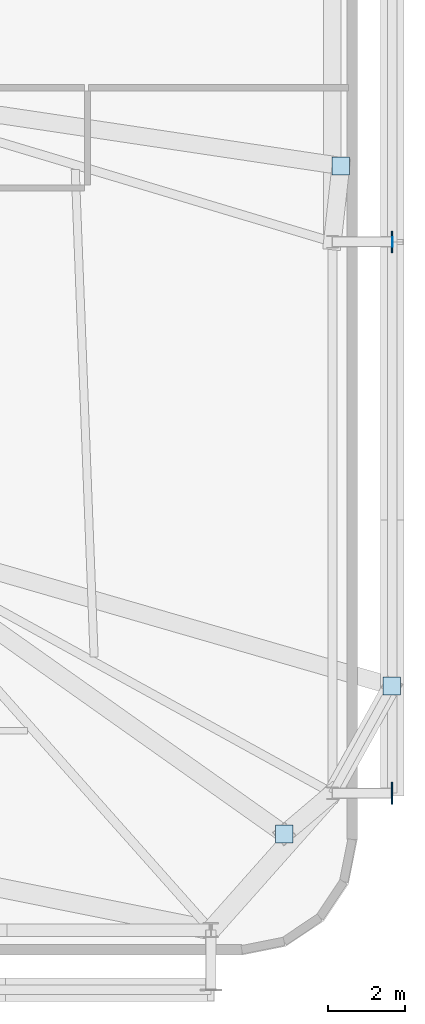
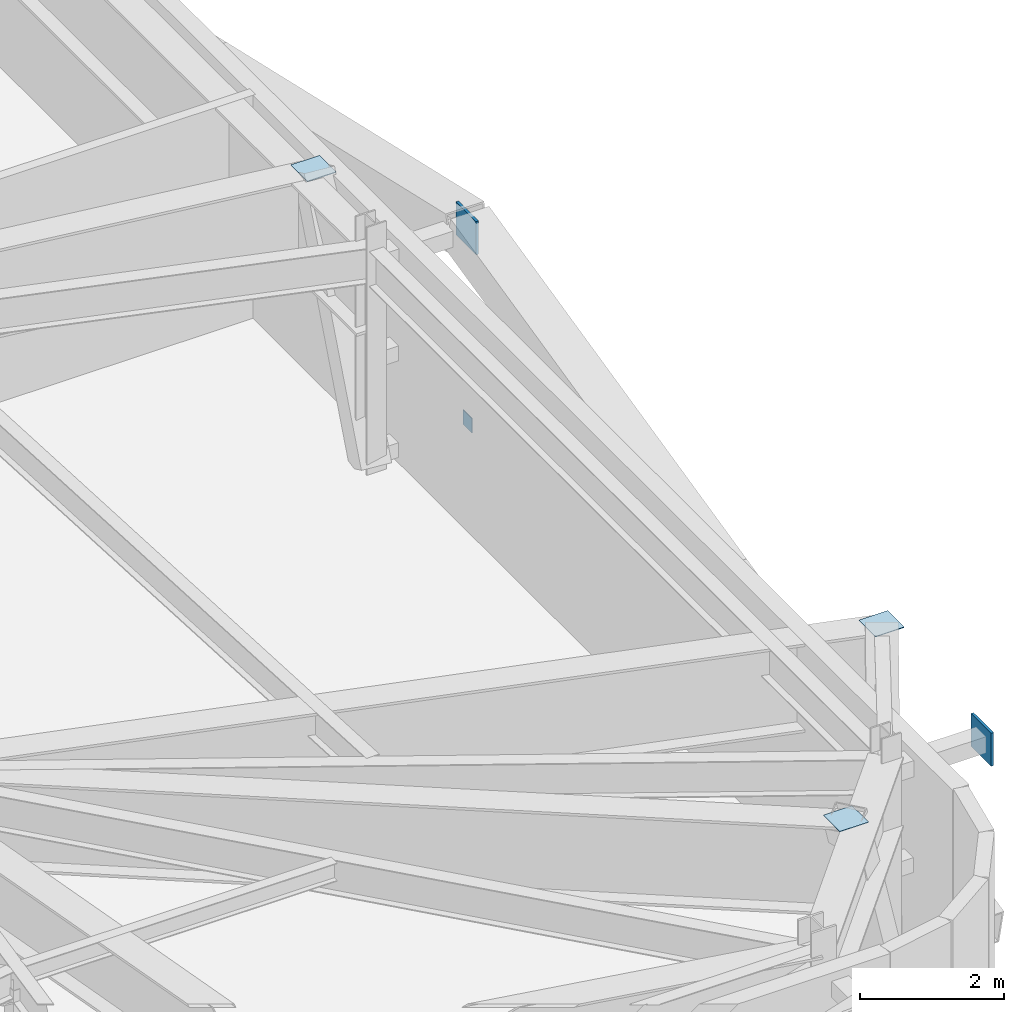
# One storey, part 17 of 24: 6 plates.
"""IFC4 building model written with IfcOpenShell, lengths in metres."""

from ifc_helpers import new_model, si_unit, direction, frame, origin, origin_2d, place, context, subcontext, project, spatial, rectangle, extrude, source, transform, mapped, material, layer, layer_set, type_object, element, save


model = new_model("IFC4")

# Units and contexts
model_context = context("Model", 3, precision=1e-05, world=origin(), true_north=direction((0.0, 1.0)))
body_context = subcontext(model_context, "Body", "Model", "MODEL_VIEW")
ifc_project = project(units=[si_unit("LENGTHUNIT", "METRE"), si_unit("AREAUNIT", "SQUARE_METRE"), si_unit("VOLUMEUNIT", "CUBIC_METRE"), si_unit("PLANEANGLEUNIT", "RADIAN"), si_unit("MASSUNIT", "GRAM", prefix="KILO")], contexts=[model_context])

# Site, building, storey
site_placement = place(None, origin())
site = spatial("IfcSite", under=ifc_project, at=site_placement, CompositionType="ELEMENT")
building_placement = place(site_placement, origin())
building = spatial("IfcBuilding", under=site, at=building_placement, Name="Taldren Reach Tower", CompositionType="ELEMENT")
storey_placement = place(building_placement, frame((0.0, 0.0, 60.89990234375)))
storey = spatial("IfcBuildingStorey", under=building, at=storey_placement, Name="L18", CompositionType="ELEMENT", Elevation=60.89990234375)

# Plates
ifc_material_1 = material(Name="Steel Gr 450 (C450L0)", Category="steel")
ifc_layer_1 = layer(ifc_material_1, 0.0400390625)
ifc_layer_set_1 = layer_set([ifc_layer_1], Name="Steel Gr 450 (C450L0)")
plate_type_1 = type_object("IfcPlateType", Name="PL-GUSSET-40", PredefinedType="SHEET", material=ifc_layer_set_1)
shared_shape_1 = source(origin(), body_context, "Body", "SweptSolid", [
    extrude(rectangle(XDim=0.56005859375, YDim=0.0400390625, at=origin_2d()), origin(), (0.0, 0.0, 1.0), 0.56005859375),
])
for number, where, z_axis, x_axis, name in (
    (1, (65.89990234375, 5.699951171875, 3.219970703125), (0.0, 0.0, 1.0), (0.0, 1.0, 0.0), "Exoskeleton star-node gusset plate B1-E1 L18"),
    (2, (65.89990234375, 20.0, 3.219970703125), (0.0, 0.0, 1.0), (0.0, 1.0, 0.0), "Exoskeleton star-node gusset plate B1-E2 L18"),
):
    element("IfcPlate", number, at=place(storey_placement, frame(where, z_axis=z_axis, x_axis=x_axis)), inside=storey, type_object=plate_type_1, Name=name, PredefinedType="SHEET", context=body_context, shape_type="MappedRepresentation", body=[
        mapped(shared_shape_1, transform((0.0, 0.0, 0.0), scale=1.0)),
    ])
ifc_material_2 = material(Name="Steel Gr 350 (C350L0)", Category="steel")
ifc_layer_2 = layer(ifc_material_2, 0.011962890625)
ifc_layer_set_2 = layer_set([ifc_layer_2], Name="Steel Gr 350 (C350L0)")
plate_type_2 = type_object("IfcPlateType", Name="PL-CAP-250", PredefinedType="SHEET", material=ifc_layer_set_2)
shared_shape_2 = source(origin(), body_context, "Body", "SweptSolid", [
    extrude(rectangle(XDim=0.011962890625, YDim=0.25, at=origin_2d()), origin(), (0.0, 0.0, 1.0), 0.25),
])
plate_placement = place(storey_placement, frame((65.906005859375, 20.0, 0.09521484375), z_axis=(0.0, 0.0, 1.0), x_axis=(1.0, 0.0, 0.0)))
element("IfcPlate", 3, at=plate_placement, inside=storey, type_object=plate_type_2, Name="Tie strut end cap plate B1-E2 L18", PredefinedType="SHEET", context=body_context, shape_type="MappedRepresentation", body=[
    mapped(shared_shape_2, transform((0.0, 0.0, 0.0), scale=1.0)),
])
ifc_layer_3 = layer(ifc_material_1, 0.011962890625)
ifc_layer_set_3 = layer_set([ifc_layer_3], Name="Steel Gr 450 (C450L0)")
plate_type_3 = type_object("IfcPlateType", Name="PL-CAP-460", PredefinedType="SHEET", material=ifc_layer_set_3)
shared_shape_3 = source(origin(), body_context, "Body", "SweptSolid", [
    extrude(rectangle(XDim=0.4599609375, YDim=0.4599609375, at=origin_2d()), origin(), (0.0, 0.0, 1.0), 0.011962890625),
])
for number, where, z_axis, x_axis, name in (
    (4, (63.103271484375, 4.64306640625, 3.76806640625), (0.0, 0.0, 1.0), (1.0, 0.0, 0.0), "Transfer strut end cap plate TS-B2-S6 L18"),
    (5, (65.8916015625, 8.483642578125, 3.76806640625), (0.0, 0.0, 1.0), (1.0, 0.0, 0.0), "Transfer strut end cap plate TS-B2-E1 L18"),
    (6, (64.569580078125, 21.968994140625, 3.76806640625), (0.0, 0.0, 1.0), (1.0, 0.0, 0.0), "Transfer strut end cap plate TS-B2-E2 L18"),
):
    element("IfcPlate", number, at=place(storey_placement, frame(where, z_axis=z_axis, x_axis=x_axis)), inside=storey, type_object=plate_type_3, Name=name, PredefinedType="SHEET", context=body_context, shape_type="MappedRepresentation", body=[
        mapped(shared_shape_3, transform((0.0, 0.0, 0.0), scale=1.0)),
    ])

save(model, "model.ifc")
